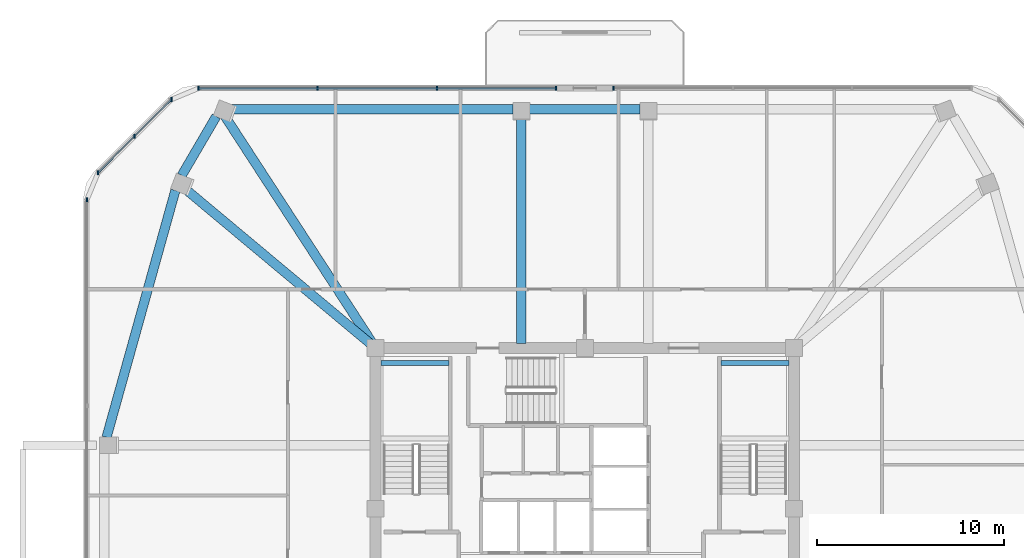
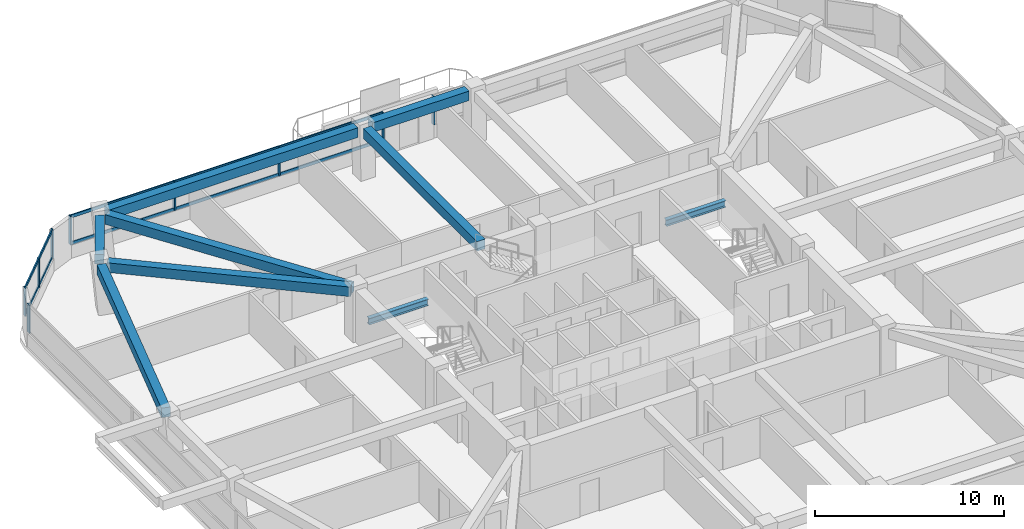
# One storey, part 5 of 13: 13 members, 9 beams, 4 elements without a shape of their own.
"""IFC4 building model written with IfcOpenShell, lengths in metres."""

from ifc_helpers import new_model, si_unit, derived_unit, direction, frame, origin, origin_2d, place, context, subcontext, project, spatial, rectangle, i_section, extrude, material, material_profile, profile_set, type_object, element, aggregate, save


model = new_model("IFC4")

# Units and contexts
model_context = context("Model", 3, precision=1e-05, world=origin(), true_north=direction((0.0, 1.0)))
body_context = subcontext(model_context, "Body", "Model", "MODEL_VIEW")
ifc_project = project(units=[si_unit("LENGTHUNIT", "METRE"), si_unit("AREAUNIT", "SQUARE_METRE"), si_unit("VOLUMEUNIT", "CUBIC_METRE"), si_unit("PLANEANGLEUNIT", "RADIAN"), si_unit("MASSUNIT", "GRAM", prefix="KILO"), derived_unit("THERMALTRANSMITTANCEUNIT", [(si_unit("POWERUNIT", "WATT"), 1), (si_unit("LENGTHUNIT", "METRE"), -2), (si_unit("THERMODYNAMICTEMPERATUREUNIT", "KELVIN"), -1)])], contexts=[model_context])

# Site, building, storey
site_placement = place(None, origin())
site = spatial("IfcSite", under=ifc_project, at=site_placement, CompositionType="ELEMENT")
building_placement = place(site_placement, origin())
building = spatial("IfcBuilding", under=site, at=building_placement, Name="Koralith Skygarden Medical Center", CompositionType="ELEMENT")
storey_placement = place(building_placement, frame((0.0, 0.0, 217.97998046875)))
storey = spatial("IfcBuildingStorey", under=building, at=storey_placement, Name="L56", CompositionType="ELEMENT", Elevation=217.97998046875)

# Curtain wall, member
ifc_material_1 = material(Name="Clear Laminated Glass", Category="glass")
curtain_wall_type = type_object("IfcCurtainWallType", Name="CW-5 Zone 4 Flare Biophilic Curtain Wall", PredefinedType="NOTDEFINED", material=ifc_material_1)
curtain_wall_1_placement = place(storey_placement, origin())
curtain_wall_1 = element("IfcCurtainWall", 1, at=curtain_wall_1_placement, inside=storey, type_object=curtain_wall_type, Name="Curtain Wall CW-L56-N-L", PredefinedType="NOTDEFINED")
ifc_material_2 = material(Name="Aluminium 6063-T6", Category="aluminium")
ifc_material_profile_1 = material_profile(ifc_material_2, rectangle(XDim=0.080078125, YDim=0.219970703125, at=origin_2d()), Name="MUL80X220")
ifc_profile_set_1 = profile_set([ifc_material_profile_1], Name="Aluminium 6063-T6")
member_type_1 = type_object("IfcMemberType", Name="CW-5 Extruded Mullion 80x220", PredefinedType="MULLION", material=ifc_profile_set_1)
member_1_placement = place(storey_placement, frame((38.5400390625, 48.404052734375, 0.85009765625), z_axis=(0.0, 0.0, 1.0), x_axis=(1.0, 0.0, 0.0)))
member_1 = element("IfcMember", 2, at=member_1_placement, type_object=member_type_1, Name="CW-L56-N-L Mullion 4", PredefinedType="MULLION", context=body_context, shape_type="SweptSolid", body=[
    extrude(rectangle(XDim=0.080078125, YDim=0.219970703125, at=origin_2d()), origin(), (0.0, 0.0, 1.0), 1.83984375),
])
aggregate(curtain_wall_1, [member_1])

# Curtain wall, members
curtain_wall_2_placement = place(storey_placement, origin())
curtain_wall_2 = element("IfcCurtainWall", 3, at=curtain_wall_2_placement, inside=storey, type_object=curtain_wall_type, Name="Curtain Wall CW-L56-N-R", PredefinedType="NOTDEFINED")
member_2_placement = place(storey_placement, frame((35.4599609375, 48.404052734375, 0.85009765625), z_axis=(0.0, 0.0, 1.0), x_axis=(1.0, 0.0, 0.0)))
member_2 = element("IfcMember", 4, at=member_2_placement, type_object=member_type_1, Name="CW-L56-N-R Mullion 1", PredefinedType="MULLION", context=body_context, shape_type="SweptSolid", body=[
    extrude(rectangle(XDim=0.080078125, YDim=0.219970703125, at=origin_2d()), origin(), (0.0, 0.0, 1.0), 1.83984375),
])
member_3_placement = place(storey_placement, frame((29.0791015625, 48.404052734375, 0.85009765625), z_axis=(0.0, 0.0, 1.0), x_axis=(1.0, 0.0, 0.0)))
member_3 = element("IfcMember", 5, at=member_3_placement, type_object=member_type_1, Name="CW-L56-N-R Mullion 2", PredefinedType="MULLION", context=body_context, shape_type="SweptSolid", body=[
    extrude(rectangle(XDim=0.080078125, YDim=0.219970703125, at=origin_2d()), origin(), (0.0, 0.0, 1.0), 1.83984375),
])
member_4_placement = place(storey_placement, frame((22.697021484375, 48.404052734375, 0.85009765625), z_axis=(0.0, 0.0, 1.0), x_axis=(1.0, 0.0, 0.0)))
member_4 = element("IfcMember", 6, at=member_4_placement, type_object=member_type_1, Name="CW-L56-N-R Mullion 3", PredefinedType="MULLION", context=body_context, shape_type="SweptSolid", body=[
    extrude(rectangle(XDim=0.080078125, YDim=0.219970703125, at=origin_2d()), origin(), (0.0, 0.0, 1.0), 1.83984375),
])
member_5_placement = place(storey_placement, frame((16.31591796875, 48.404052734375, 0.85009765625), z_axis=(0.0, 0.0, 1.0), x_axis=(1.0, 0.0, 0.0)))
member_5 = element("IfcMember", 7, at=member_5_placement, type_object=member_type_1, Name="CW-L56-N-R Mullion 4", PredefinedType="MULLION", context=body_context, shape_type="SweptSolid", body=[
    extrude(rectangle(XDim=0.080078125, YDim=0.219970703125, at=origin_2d()), origin(), (0.0, 0.0, 1.0), 1.83984375),
])

curtain_wall_3_placement = place(storey_placement, origin())
curtain_wall_3 = element("IfcCurtainWall", 8, at=curtain_wall_3_placement, inside=storey, type_object=curtain_wall_type, Name="Curtain Wall CW-L56-NW", PredefinedType="NOTDEFINED")
member_6_placement = place(storey_placement, frame((14.864990234375, 47.802978515625, 0.85009765625), z_axis=(0.0, 0.0, 1.0), x_axis=(1.0, 0.0, 0.0)))
member_6 = element("IfcMember", 9, at=member_6_placement, type_object=member_type_1, Name="CW-L56-NW Mullion 1", PredefinedType="MULLION", context=body_context, shape_type="SweptSolid", body=[
    extrude(rectangle(XDim=0.080078125, YDim=0.219970703125, at=origin_2d()), origin(), (0.0, 0.0, 1.0), 1.83984375),
])
member_7_placement = place(storey_placement, frame((12.904052734375, 45.841064453125, 0.85009765625), z_axis=(0.0, 0.0, 1.0), x_axis=(1.0, 0.0, 0.0)))
member_7 = element("IfcMember", 10, at=member_7_placement, type_object=member_type_1, Name="CW-L56-NW Mullion 2", PredefinedType="MULLION", context=body_context, shape_type="SweptSolid", body=[
    extrude(rectangle(XDim=0.080078125, YDim=0.219970703125, at=origin_2d()), origin(), (0.0, 0.0, 1.0), 1.83984375),
])
member_8_placement = place(storey_placement, frame((10.94189453125, 43.8798828125, 0.85009765625), z_axis=(0.0, 0.0, 1.0), x_axis=(1.0, 0.0, 0.0)))
member_8 = element("IfcMember", 11, at=member_8_placement, type_object=member_type_1, Name="CW-L56-NW Mullion 3", PredefinedType="MULLION", context=body_context, shape_type="SweptSolid", body=[
    extrude(rectangle(XDim=0.080078125, YDim=0.219970703125, at=origin_2d()), origin(), (0.0, 0.0, 1.0), 1.83984375),
])

# Curtain wall, member
curtain_wall_4_placement = place(storey_placement, origin())
curtain_wall_4 = element("IfcCurtainWall", 12, at=curtain_wall_4_placement, inside=storey, type_object=curtain_wall_type, Name="Curtain Wall CW-L56-W", PredefinedType="NOTDEFINED")
member_9_placement = place(storey_placement, frame((10.340087890625, 42.428955078125, 0.85009765625), z_axis=(0.0, 0.0, 1.0), x_axis=(1.0, 0.0, 0.0)))
member_9 = element("IfcMember", 13, at=member_9_placement, type_object=member_type_1, Name="CW-L56-W Mullion 1", PredefinedType="MULLION", context=body_context, shape_type="SweptSolid", body=[
    extrude(rectangle(XDim=0.080078125, YDim=0.219970703125, at=origin_2d()), origin(), (0.0, 0.0, 1.0), 1.83984375),
])
aggregate(curtain_wall_4, [member_9])

# Member
ifc_material_profile_2 = material_profile(ifc_material_2, rectangle(XDim=0.074951171875, YDim=0.197998046875, at=origin_2d()), Name="TRN75X198")
ifc_profile_set_2 = profile_set([ifc_material_profile_2], Name="Aluminium 6063-T6")
member_type_2 = type_object("IfcMemberType", Name="CW-5 Thermal Transom 75x198", PredefinedType="USERDEFINED", material=ifc_profile_set_2)
member_10_placement = place(storey_placement, frame((35.4599609375, 48.404052734375, 0.89990234375), z_axis=(-1.0, 0.0, 0.0), x_axis=(0.0, -1.0, 0.0)))
member_10 = element("IfcMember", 14, at=member_10_placement, type_object=member_type_2, Name="CW-L56-N-R Transom 1", ObjectType="TRANSOM", PredefinedType="USERDEFINED", context=body_context, shape_type="SweptSolid", body=[
    extrude(rectangle(XDim=0.074951171875, YDim=0.197998046875, at=origin_2d()), origin(), (0.0, 0.0, 1.0), 19.14404296875),
])

member_11_placement = place(storey_placement, frame((35.4599609375, 48.404052734375, 2.64013671875), z_axis=(-1.0, 0.0, 0.0), x_axis=(0.0, -1.0, 0.0)))
member_11 = element("IfcMember", 15, at=member_11_placement, type_object=member_type_2, Name="CW-L56-N-R Transom 2", ObjectType="TRANSOM", PredefinedType="USERDEFINED", context=body_context, shape_type="SweptSolid", body=[
    extrude(rectangle(XDim=0.074951171875, YDim=0.197998046875, at=origin_2d()), origin(), (0.0, 0.0, 1.0), 19.14404296875),
])

aggregate(curtain_wall_2, [member_2, member_3, member_4, member_5, member_10, member_11])

member_12_placement = place(storey_placement, frame((14.864990234375, 47.802978515625, 0.89990234375), z_axis=(-0.707106781187, -0.707106781187, 0.0), x_axis=(0.707106781187, -0.707106781187, 0.0)))
member_12 = element("IfcMember", 16, at=member_12_placement, type_object=member_type_2, Name="CW-L56-NW Transom 1", ObjectType="TRANSOM", PredefinedType="USERDEFINED", context=body_context, shape_type="SweptSolid", body=[
    extrude(rectangle(XDim=0.074951171875, YDim=0.197998046875, at=origin_2d()), origin(), (0.0, 0.0, 1.0), 5.548095703125),
])

member_13_placement = place(storey_placement, frame((14.864990234375, 47.802978515625, 2.64013671875), z_axis=(-0.707106781187, -0.707106781187, 0.0), x_axis=(0.707106781187, -0.707106781187, 0.0)))
member_13 = element("IfcMember", 17, at=member_13_placement, type_object=member_type_2, Name="CW-L56-NW Transom 2", ObjectType="TRANSOM", PredefinedType="USERDEFINED", context=body_context, shape_type="SweptSolid", body=[
    extrude(rectangle(XDim=0.074951171875, YDim=0.197998046875, at=origin_2d()), origin(), (0.0, 0.0, 1.0), 5.548095703125),
])

aggregate(curtain_wall_3, [member_6, member_7, member_8, member_12, member_13])

# Beams
ifc_material_3 = material(Name="Steel ASTM A992 Grade 50", Category="steel")
ifc_material_profile_3 = material_profile(ifc_material_3, i_section(OverallWidth=0.260009765625, OverallDepth=0.4150390625, WebThickness=0.010009765625, FlangeThickness=0.016845703125, at=origin_2d()), Name="W16X67")
ifc_profile_set_3 = profile_set([ifc_material_profile_3], Name="Steel ASTM A992 Grade 50")
beam_type_1 = type_object("IfcBeamType", Name="Clinical Floor Joist W16X67", PredefinedType="JOIST", material=ifc_profile_set_3)
for number, where, z_axis, x_axis, name in (
    (18, (26.080078125, 33.699951171875, 1.39306640625), (1.0, 0.0, 0.0), (0.0, 1.0, 0.0), "L56 Stair ST1 Half-Landing Support Beam 1B"),
    (19, (44.280029296875, 33.699951171875, 1.39306640625), (1.0, 0.0, 0.0), (0.0, 1.0, 0.0), "L56 Stair ST2 Half-Landing Support Beam 1B"),
):
    element("IfcBeam", number, at=place(storey_placement, frame(where, z_axis=z_axis, x_axis=x_axis)), inside=storey, type_object=beam_type_1, Name=name, PredefinedType="JOIST", context=body_context, shape_type="SweptSolid", body=[
        extrude(i_section(OverallWidth=0.260009765625, OverallDepth=0.4150390625, WebThickness=0.010009765625, FlangeThickness=0.016845703125, at=origin_2d()), origin(), (0.0, 0.0, 1.0), 3.639892578125),
    ])
ifc_material_4 = material(Name="Concrete C45/55", Category="concrete")
ifc_material_profile_4 = material_profile(ifc_material_4, rectangle(XDim=0.5, YDim=0.6201171875, at=origin_2d()), Name="RCB500X620")
ifc_profile_set_4 = profile_set([ifc_material_profile_4], Name="Concrete C45/55")
beam_type_2 = type_object("IfcBeamType", Name="Upper Radial Collector Beam RCB500X620", PredefinedType="BEAM", material=ifc_profile_set_4)
beam_1_placement = place(storey_placement, frame((33.60009765625, 34.75, 3.010009765625), z_axis=(0.0, 1.0, 0.0), x_axis=(-1.0, 0.0, 0.0)))
element("IfcBeam", 20, at=beam_1_placement, inside=storey, type_object=beam_type_2, Name="L56 Radial Collector Beam RB-13", PredefinedType="BEAM", context=body_context, shape_type="SweptSolid", body=[
    extrude(rectangle(XDim=0.5, YDim=0.6201171875, at=origin_2d()), origin(), (0.0, 0.0, 1.0), 12.090087890625),
])
beam_2_placement = place(storey_placement, frame((25.6640625, 34.7099609375, 3.010009765625), z_axis=(-0.545156385215, 0.838334369842, 0.0), x_axis=(-0.838334369842, -0.545156385215, 0.0)))
element("IfcBeam", 21, at=beam_2_placement, inside=storey, type_object=beam_type_2, Name="L56 Radial Collector Beam RB-14", PredefinedType="BEAM", context=body_context, shape_type="SweptSolid", body=[
    extrude(rectangle(XDim=0.5, YDim=0.6201171875, at=origin_2d()), origin(), (0.0, 0.0, 1.0), 14.5537109375),
])
beam_3_placement = place(storey_placement, frame((25.60791015625, 34.659912109375, 3.010009765625), z_axis=(-0.767298159165, 0.64129052304, 0.0), x_axis=(-0.64129052304, -0.767298159165, 0.0)))
element("IfcBeam", 22, at=beam_3_placement, inside=storey, type_object=beam_type_2, Name="L56 Radial Collector Beam RB-15", PredefinedType="BEAM", context=body_context, shape_type="SweptSolid", body=[
    extrude(rectangle(XDim=0.5, YDim=0.6201171875, at=origin_2d()), origin(), (0.0, 0.0, 1.0), 13.126708984375),
])
ifc_material_profile_5 = material_profile(ifc_material_4, rectangle(XDim=0.5, YDim=0.6201171875, at=origin_2d()), Name="RCB500X620")
ifc_profile_set_5 = profile_set([ifc_material_profile_5], Name="Concrete C45/55")
beam_type_3 = type_object("IfcBeamType", Name="Zone 4-5 Spandrel Beam RCB500X620", PredefinedType="SPANDREL", material=ifc_profile_set_5)
beam_4_placement = place(storey_placement, frame((39.9599609375, 47.280029296875, 3.010009765625), z_axis=(-1.0, 0.0, 0.0), x_axis=(0.0, -1.0, 0.0)))
element("IfcBeam", 23, at=beam_4_placement, inside=storey, type_object=beam_type_3, Name="L56 Perimeter Spandrel Beam SP-12", PredefinedType="SPANDREL", context=body_context, shape_type="SweptSolid", body=[
    extrude(rectangle(XDim=0.5, YDim=0.6201171875, at=origin_2d()), origin(), (0.0, 0.0, 1.0), 5.919921875),
])
beam_5_placement = place(storey_placement, frame((33.159912109375, 47.280029296875, 3.010009765625), z_axis=(-1.0, 0.0, 0.0), x_axis=(0.0, -1.0, 0.0)))
element("IfcBeam", 24, at=beam_5_placement, inside=storey, type_object=beam_type_3, Name="L56 Perimeter Spandrel Beam SP-13", PredefinedType="SPANDREL", context=body_context, shape_type="SweptSolid", body=[
    extrude(rectangle(XDim=0.5, YDim=0.6201171875, at=origin_2d()), origin(), (0.0, 0.0, 1.0), 15.22998046875),
])
beam_6_placement = place(storey_placement, frame((17.26806640625, 46.89990234375, 3.010009765625), z_axis=(-0.504861750403, -0.863200216045, 0.0), x_axis=(0.863200216045, -0.504861750403, 0.0)))
element("IfcBeam", 25, at=beam_6_placement, inside=storey, type_object=beam_type_3, Name="L56 Perimeter Spandrel Beam SP-14", PredefinedType="SPANDREL", context=body_context, shape_type="SweptSolid", body=[
    extrude(rectangle(XDim=0.5, YDim=0.6201171875, at=origin_2d()), origin(), (0.0, 0.0, 1.0), 3.66064453125),
])
beam_7_placement = place(storey_placement, frame((15.080078125, 42.93603515625, 3.010009765625), z_axis=(-0.26859849356, -0.96325222515, 0.0), x_axis=(0.96325222515, -0.26859849356, 0.0)))
element("IfcBeam", 26, at=beam_7_placement, inside=storey, type_object=beam_type_3, Name="L56 Perimeter Spandrel Beam SP-15", PredefinedType="SPANDREL", context=body_context, shape_type="SweptSolid", body=[
    extrude(rectangle(XDim=0.5, YDim=0.6201171875, at=origin_2d()), origin(), (0.0, 0.0, 1.0), 13.716064453125),
])

save(model, "model.ifc")
